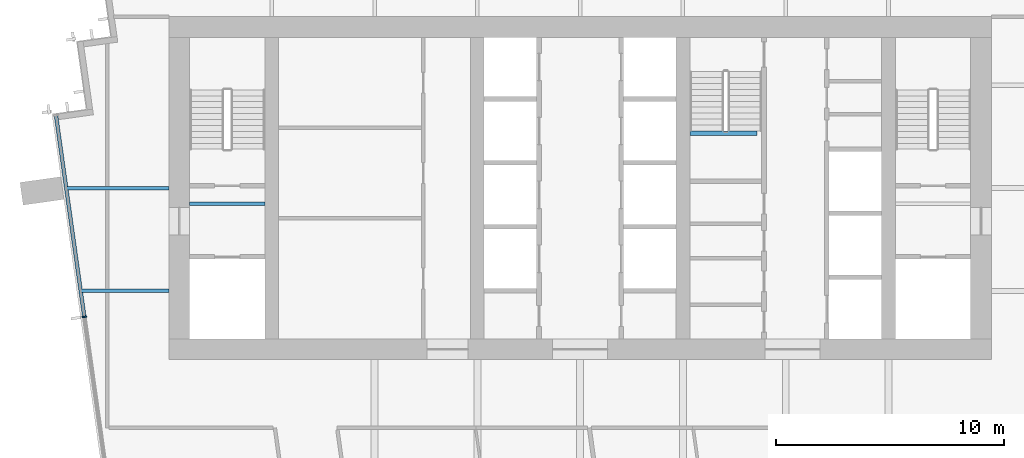
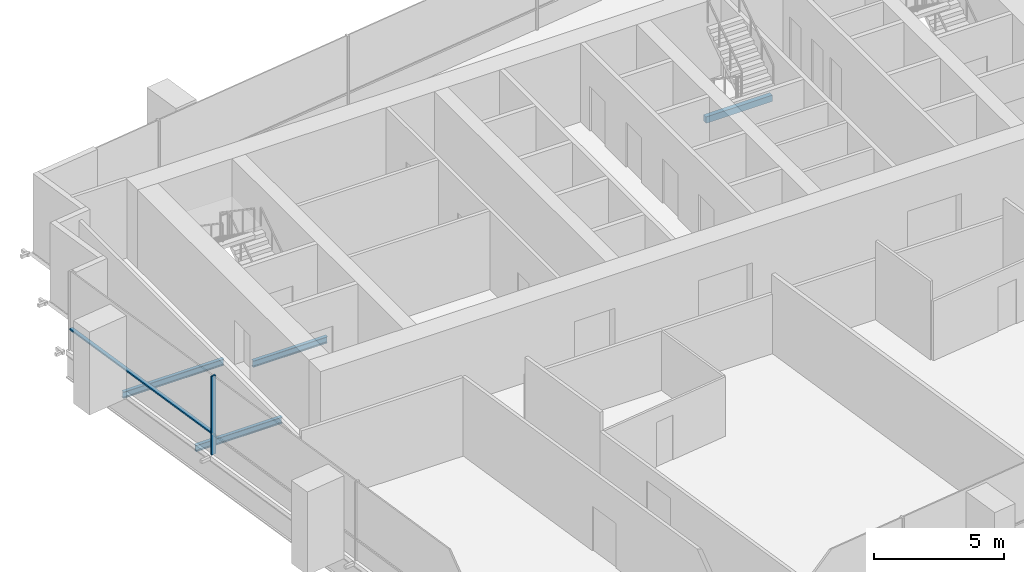
# One storey, part 4 of 13: 4 beams, 2 members, 1 element without a shape of its own.
"""IFC4 building model written with IfcOpenShell, lengths in metres."""

from ifc_helpers import new_model, si_unit, direction, frame, origin, origin_2d, place, context, subcontext, project, spatial, rectangle, i_section, extrude, material, layer, layer_set, material_profile, profile_set, type_object, element, aggregate, save


model = new_model("IFC4")

# Units and contexts
model_context = context("Model", 3, precision=1e-05, world=origin(), true_north=direction((0.0, 1.0)))
body_context = subcontext(model_context, "Body", "Model", "MODEL_VIEW")
ifc_project = project(units=[si_unit("LENGTHUNIT", "METRE"), si_unit("AREAUNIT", "SQUARE_METRE"), si_unit("VOLUMEUNIT", "CUBIC_METRE"), si_unit("PLANEANGLEUNIT", "RADIAN"), si_unit("MASSUNIT", "GRAM", prefix="KILO")], contexts=[model_context])

# Site, building, storey
site_placement = place(None, origin())
site = spatial("IfcSite", under=ifc_project, at=site_placement, CompositionType="ELEMENT")
building_placement = place(site_placement, origin())
building = spatial("IfcBuilding", under=site, at=building_placement, Name="Rattan Terrace Tower", CompositionType="ELEMENT")
storey_placement = place(building_placement, frame((0.0, 0.0, 240.800048828125)))
storey = spatial("IfcBuildingStorey", under=building, at=storey_placement, Name="L55", CompositionType="ELEMENT", Elevation=240.800048828125)

# Beams
ifc_material_1 = material(Name="Concrete C40/50", Category="concrete")
ifc_material_profile_1 = material_profile(ifc_material_1, rectangle(XDim=0.199951171875, YDim=0.300048828125, at=origin_2d()), Name="RC 200x300")
ifc_profile_set_1 = profile_set([ifc_material_profile_1], Name="Concrete C40/50")
beam_type_1 = type_object("IfcBeamType", Name="Core landing beam RC 200x300", PredefinedType="BEAM", material=ifc_profile_set_1)
beam_1_placement = place(storey_placement, frame((4.800048828125, 2.39990234375, 1.599853515625), z_axis=(1.0, 0.0, 0.0), x_axis=(0.0, 1.0, 0.0)))
element("IfcBeam", 1, at=beam_1_placement, inside=storey, type_object=beam_type_1, Name="st-S3-L55 landing 1 edge beam", PredefinedType="BEAM", context=body_context, shape_type="SweptSolid", body=[
    extrude(rectangle(XDim=0.199951171875, YDim=0.300048828125, at=origin_2d()), origin(), (0.0, 0.0, 1.0), 2.949951171875),
])
ifc_material_2 = material(Name="Steel S355", Category="steel")
ifc_material_profile_2 = material_profile(ifc_material_2, i_section(OverallWidth=0.14990234375, OverallDepth=0.300048828125, WebThickness=0.007080078125, FlangeThickness=0.0107421875, FilletRadius=0.014892578125, at=origin_2d()), Name="IPE 300")
ifc_profile_set_2 = profile_set([ifc_material_profile_2], Name="Steel S355")
beam_type_2 = type_object("IfcBeamType", Name="Frame floor beam IPE 300", PredefinedType="JOIST", material=ifc_profile_set_2)
beam_2_placement = place(storey_placement, frame((-17.10009765625, -0.695068359375, -0.35009765625), z_axis=(1.0, 0.0, 0.0), x_axis=(0.0, 1.0, 0.0)))
element("IfcBeam", 2, at=beam_2_placement, inside=storey, type_object=beam_type_2, Name="bm-L55-001", PredefinedType="JOIST", context=body_context, shape_type="SweptSolid", body=[
    extrude(i_section(OverallWidth=0.14990234375, OverallDepth=0.300048828125, WebThickness=0.007080078125, FlangeThickness=0.0107421875, FilletRadius=0.014892578125, at=origin_2d()), origin(), (0.0, 0.0, 1.0), 3.300048828125),
])
beam_3_placement = place(storey_placement, frame((-21.844970703125, -4.5, -0.35009765625), z_axis=(1.0, 0.0, 0.0), x_axis=(0.0, 1.0, 0.0)))
element("IfcBeam", 3, at=beam_3_placement, inside=storey, type_object=beam_type_2, Name="bm-L55-009", PredefinedType="JOIST", context=body_context, shape_type="SweptSolid", body=[
    extrude(i_section(OverallWidth=0.14990234375, OverallDepth=0.300048828125, WebThickness=0.007080078125, FlangeThickness=0.0107421875, FilletRadius=0.014892578125, at=origin_2d()), origin(), (0.0, 0.0, 1.0), 3.844970703125),
])
beam_4_placement = place(storey_placement, frame((-22.47705078125, 0.0, -0.35009765625), z_axis=(1.0, 0.0, 0.0), x_axis=(0.0, 1.0, 0.0)))
element("IfcBeam", 4, at=beam_4_placement, inside=storey, type_object=beam_type_2, Name="bm-L55-011", PredefinedType="JOIST", context=body_context, shape_type="SweptSolid", body=[
    extrude(i_section(OverallWidth=0.14990234375, OverallDepth=0.300048828125, WebThickness=0.007080078125, FlangeThickness=0.0107421875, FilletRadius=0.014892578125, at=origin_2d()), origin(), (0.0, 0.0, 1.0), 4.47705078125),
])

# Curtain wall, members
ifc_material_3 = material(Name="Aluminium and laminated glass", Category="aluminium")
ifc_layer = layer(ifc_material_3, 0.199951171875)
ifc_layer_set = layer_set([ifc_layer], Name="High-Zone Unitised Curtain Wall")
curtain_wall_type = type_object("IfcCurtainWallType", Name="High-Zone Unitised Curtain Wall", PredefinedType="NOTDEFINED", material=ifc_layer_set)
curtain_wall_placement = place(storey_placement, origin())
curtain_wall = element("IfcCurtainWall", 5, at=curtain_wall_placement, inside=storey, type_object=curtain_wall_type, Name="High-zone curtain wall L55-3", PredefinedType="NOTDEFINED")
ifc_material_4 = material(Name="Aluminium", Category="aluminium")
ifc_material_profile_3 = material_profile(ifc_material_4, rectangle(XDim=0.070068359375, YDim=0.199951171875, at=origin_2d()), Name="Aluminium 70x200")
ifc_profile_set_3 = profile_set([ifc_material_profile_3], Name="Aluminium")
member_type_1 = type_object("IfcMemberType", Name="High-Zone CW Mullion 70x200", PredefinedType="MULLION", material=ifc_profile_set_3)
member_1_placement = place(storey_placement, frame((-21.705078125, -5.638671875, 0.0), z_axis=(0.0, 0.0, 1.0), x_axis=(0.139186165309, -0.990266232579, 0.0)))
member_1 = element("IfcMember", 6, at=member_1_placement, type_object=member_type_1, Name="Mullion cwl-L55-003.2", PredefinedType="MULLION", context=body_context, shape_type="SweptSolid", body=[
    extrude(rectangle(XDim=0.070068359375, YDim=0.199951171875, at=origin_2d()), origin(), (0.0, 0.0, 1.0), 3.699951171875),
])
ifc_material_5 = material(Name="Aluminium", Category="aluminium")
ifc_material_profile_4 = material_profile(ifc_material_5, rectangle(XDim=0.159912109375, YDim=0.070068359375, at=origin_2d()), Name="Aluminium 160x70")
ifc_profile_set_4 = profile_set([ifc_material_profile_4], Name="Aluminium")
member_type_2 = type_object("IfcMemberType", Name="High-Zone CW Transom 160x70", PredefinedType="USERDEFINED", material=ifc_profile_set_4)
member_2_placement = place(storey_placement, frame((-22.941650390625, 3.159912109375, 1.0), z_axis=(0.139173253985, -0.990268047235, 0.0), x_axis=(0.990268047235, 0.139173253985, 0.0)))
member_2 = element("IfcMember", 7, at=member_2_placement, type_object=member_type_2, Name="Transom cwl-L55-003.1", ObjectType="TRANSOM", PredefinedType="USERDEFINED", context=body_context, shape_type="SweptSolid", body=[
    extrude(rectangle(XDim=0.159912109375, YDim=0.070068359375, at=origin_2d()), origin(), (0.0, 0.0, 1.0), 8.85009765625),
])
aggregate(curtain_wall, [member_1, member_2])

save(model, "model.ifc")
